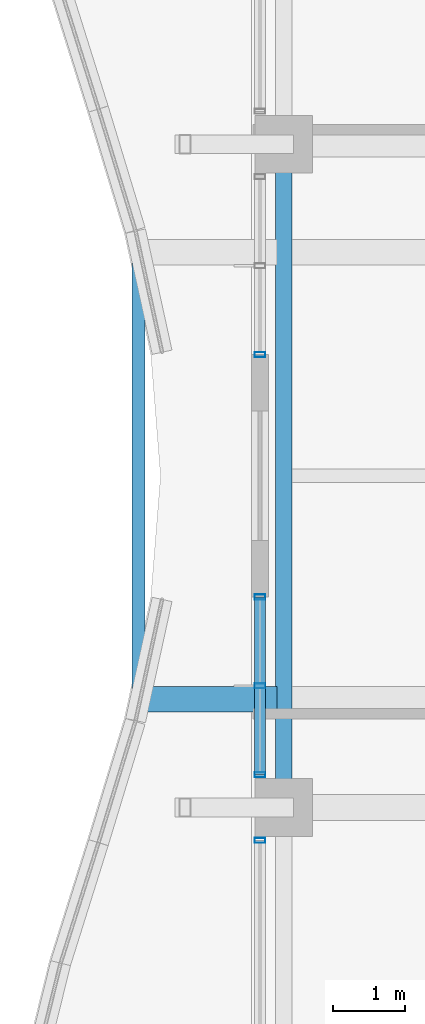
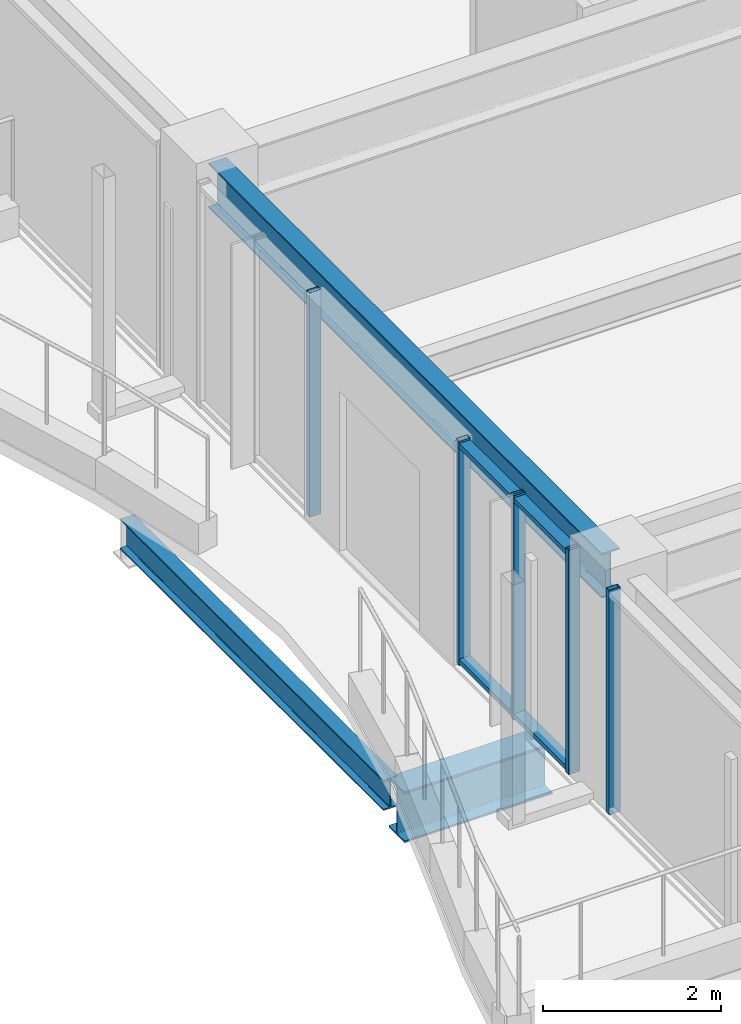
# One storey, part 6 of 35: 7 members, 3 beams, 3 elements without a shape of their own.
"""IFC4 building model written with IfcOpenShell, lengths in metres."""

from ifc_helpers import new_model, si_unit, direction, frame, origin, origin_2d, place, context, subcontext, project, spatial, hollow_rectangle, i_section, extrude, material, material_profile, profile_set, type_object, element, aggregate, save


model = new_model("IFC4")

# Units and contexts
model_context = context("Model", 3, precision=1e-05, world=origin(), true_north=direction((0.0, 1.0)))
body_context = subcontext(model_context, "Body", "Model", "MODEL_VIEW")
ifc_project = project(units=[si_unit("LENGTHUNIT", "METRE"), si_unit("AREAUNIT", "SQUARE_METRE"), si_unit("VOLUMEUNIT", "CUBIC_METRE"), si_unit("PLANEANGLEUNIT", "RADIAN"), si_unit("MASSUNIT", "GRAM", prefix="KILO")], contexts=[model_context])

# Site, building, storey
site_placement = place(None, origin())
site = spatial("IfcSite", under=ifc_project, at=site_placement, CompositionType="ELEMENT")
building_placement = place(site_placement, origin())
building = spatial("IfcBuilding", under=site, at=building_placement, Name="Kolvaren Belvedere", CompositionType="ELEMENT")
storey_placement = place(building_placement, frame((0.0, 0.0, 216.300048828125)))
storey = spatial("IfcBuildingStorey", under=building, at=storey_placement, Name="L63", CompositionType="ELEMENT", Elevation=216.300048828125)

# Beams
ifc_material_1 = material(Name="Structural steel ASTM A992 Grade 50", Category="steel")
ifc_material_profile_1 = material_profile(ifc_material_1, i_section(OverallWidth=0.35498046875, OverallDepth=0.696044921875, WebThickness=0.015380859375, FlangeThickness=0.02490234375, FilletRadius=0.02197265625, at=origin_2d()), Name="W27X146")
ifc_profile_set_1 = profile_set([ifc_material_profile_1], Name="Structural steel ASTM A992 Grade 50")
beam_type_1 = type_object("IfcBeamType", Name="BM-CANT-BAL", PredefinedType="BEAM", material=ifc_profile_set_1)
beam_1_placement = place(storey_placement, frame((-20.044921875, -3.10009765625, -0.568115234375), z_axis=(-1.0, 0.0, 0.0), x_axis=(0.0, -1.0, 0.0)))
element("IfcBeam", 1, at=beam_1_placement, inside=storey, type_object=beam_type_1, Name="L63 Planted Balcony Cantilever BAL-W-1", PredefinedType="BEAM", context=body_context, shape_type="SweptSolid", body=[
    extrude(i_section(OverallWidth=0.35498046875, OverallDepth=0.696044921875, WebThickness=0.015380859375, FlangeThickness=0.02490234375, FilletRadius=0.02197265625, at=origin_2d()), origin(), (0.0, 0.0, 1.0), 1.91943359375),
])
ifc_material_2 = material(Name="Structural steel ASTM A992 Grade 50", Category="steel")
ifc_material_profile_2 = material_profile(ifc_material_2, i_section(OverallWidth=0.180908203125, OverallDepth=0.4169921875, WebThickness=0.010986328125, FlangeThickness=0.018310546875, FilletRadius=0.013916015625, at=origin_2d()), Name="W16X57")
ifc_profile_set_2 = profile_set([ifc_material_profile_2], Name="Structural steel ASTM A992 Grade 50")
beam_type_2 = type_object("IfcBeamType", Name="BM-EDGE-W16X57", PredefinedType="BEAM", material=ifc_profile_set_2)
beam_2_placement = place(storey_placement, frame((-21.96435546875, -2.9599609375, -0.428466796875), z_axis=(0.0, 1.0, 0.0), x_axis=(-1.0, 0.0, 0.0)))
element("IfcBeam", 2, at=beam_2_placement, inside=storey, type_object=beam_type_2, Name="L63 Balcony Tip Header Beam BAL-W", PredefinedType="BEAM", context=body_context, shape_type="SweptSolid", body=[
    extrude(i_section(OverallWidth=0.180908203125, OverallDepth=0.4169921875, WebThickness=0.010986328125, FlangeThickness=0.018310546875, FilletRadius=0.013916015625, at=origin_2d()), origin(), (0.0, 0.0, 1.0), 5.919921875),
])
ifc_material_3 = material(Name="Structural steel ASTM A992 Grade 50", Category="steel")
ifc_material_profile_3 = material_profile(ifc_material_3, i_section(OverallWidth=0.22900390625, OverallDepth=0.612060546875, WebThickness=0.011962890625, FlangeThickness=0.01953125, FilletRadius=0.01806640625, at=origin_2d()), Name="W24X84")
ifc_profile_set_3 = profile_set([ifc_material_profile_3], Name="Structural steel ASTM A992 Grade 50")
beam_type_3 = type_object("IfcBeamType", Name="BM-SPAN-W24X84", PredefinedType="SPANDREL", material=ifc_profile_set_3)
beam_3_placement = place(storey_placement, frame((-19.949951171875, 4.419921875, 2.77392578125), z_axis=(0.0, -1.0, 0.0), x_axis=(1.0, 0.0, 0.0)))
element("IfcBeam", 3, at=beam_3_placement, inside=storey, type_object=beam_type_3, Name="L63 Perimeter Spandrel W3-W2", PredefinedType="SPANDREL", context=body_context, shape_type="SweptSolid", body=[
    extrude(i_section(OverallWidth=0.22900390625, OverallDepth=0.612060546875, WebThickness=0.011962890625, FlangeThickness=0.01953125, FilletRadius=0.01806640625, at=origin_2d()), origin(), (0.0, 0.0, 1.0), 8.83984375),
])

# Curtain wall, member
ifc_material_4 = material(Name="Anodised pale-metal aluminium AA 6063-T6", Category="aluminium")
curtain_wall_type = type_object("IfcCurtainWallType", Name="CW-Z5-HIGH", PredefinedType="NOTDEFINED", material=ifc_material_4)
curtain_wall_1_placement = place(storey_placement, origin())
curtain_wall_1 = element("IfcCurtainWall", 4, at=curtain_wall_1_placement, inside=storey, type_object=curtain_wall_type, Name="L63 Unitised Curtain Wall FCW-L63-W1-B1", PredefinedType="NOTDEFINED")
ifc_material_5 = material(Name="Anodised pale-metal aluminium AA 6063-T6", Category="aluminium")
ifc_material_profile_4 = material_profile(ifc_material_5, hollow_rectangle(XDim=0.070068359375, YDim=0.14990234375, WallThickness=0.004150390625, at=origin_2d()), Name="ALU-MUL-150X70")
ifc_profile_set_4 = profile_set([ifc_material_profile_4], Name="Anodised pale-metal aluminium AA 6063-T6")
member_type_1 = type_object("IfcMemberType", Name="CW-MUL-150", PredefinedType="MULLION", material=ifc_profile_set_4)
member_1_placement = place(storey_placement, frame((-20.280029296875, -5.054931640625, 0.0), z_axis=(0.0, 0.0, 1.0), x_axis=(0.0, 1.0, 0.0)))
member_1 = element("IfcMember", 5, at=member_1_placement, type_object=member_type_1, Name="FCW-L63-W1-B1 Unitised Mullion 3", PredefinedType="MULLION", context=body_context, shape_type="SweptSolid", body=[
    extrude(hollow_rectangle(XDim=0.070068359375, YDim=0.14990234375, WallThickness=0.004150390625, at=origin_2d()), origin(), (0.0, 0.0, 1.0), 3.079833984375),
])
aggregate(curtain_wall_1, [member_1])

# Curtain wall, members
curtain_wall_2_placement = place(storey_placement, origin())
curtain_wall_2 = element("IfcCurtainWall", 6, at=curtain_wall_2_placement, inside=storey, type_object=curtain_wall_type, Name="L63 Unitised Curtain Wall FCW-L63-W1-B2", PredefinedType="NOTDEFINED")
member_2_placement = place(storey_placement, frame((-20.280029296875, -4.14501953125, 0.0), z_axis=(0.0, 0.0, 1.0), x_axis=(0.0, 1.0, 0.0)))
member_2 = element("IfcMember", 7, at=member_2_placement, type_object=member_type_1, Name="FCW-L63-W1-B2 Unitised Mullion 1", PredefinedType="MULLION", context=body_context, shape_type="SweptSolid", body=[
    extrude(hollow_rectangle(XDim=0.070068359375, YDim=0.14990234375, WallThickness=0.004150390625, at=origin_2d()), origin(), (0.0, 0.0, 1.0), 3.079833984375),
])
member_3_placement = place(storey_placement, frame((-20.280029296875, -2.91259765625, 0.0), z_axis=(0.0, 0.0, 1.0), x_axis=(0.0, 1.0, 0.0)))
member_3 = element("IfcMember", 8, at=member_3_placement, type_object=member_type_1, Name="FCW-L63-W1-B2 Unitised Mullion 2", PredefinedType="MULLION", context=body_context, shape_type="SweptSolid", body=[
    extrude(hollow_rectangle(XDim=0.070068359375, YDim=0.14990234375, WallThickness=0.004150390625, at=origin_2d()), origin(), (0.0, 0.0, 1.0), 3.079833984375),
])
member_4_placement = place(storey_placement, frame((-20.280029296875, -1.679931640625, 0.0), z_axis=(0.0, 0.0, 1.0), x_axis=(0.0, 1.0, 0.0)))
member_4 = element("IfcMember", 9, at=member_4_placement, type_object=member_type_1, Name="FCW-L63-W1-B2 Unitised Mullion 3", PredefinedType="MULLION", context=body_context, shape_type="SweptSolid", body=[
    extrude(hollow_rectangle(XDim=0.070068359375, YDim=0.14990234375, WallThickness=0.004150390625, at=origin_2d()), origin(), (0.0, 0.0, 1.0), 3.079833984375),
])

# Curtain wall, member
curtain_wall_3_placement = place(storey_placement, origin())
curtain_wall_3 = element("IfcCurtainWall", 10, at=curtain_wall_3_placement, inside=storey, type_object=curtain_wall_type, Name="L63 Unitised Curtain Wall FCW-L63-W2-B1", PredefinedType="NOTDEFINED")
member_5_placement = place(storey_placement, frame((-20.280029296875, 1.679931640625, 0.0), z_axis=(0.0, 0.0, 1.0), x_axis=(0.0, 1.0, 0.0)))
member_5 = element("IfcMember", 11, at=member_5_placement, type_object=member_type_1, Name="FCW-L63-W2-B1 Unitised Mullion 1", PredefinedType="MULLION", context=body_context, shape_type="SweptSolid", body=[
    extrude(hollow_rectangle(XDim=0.070068359375, YDim=0.14990234375, WallThickness=0.004150390625, at=origin_2d()), origin(), (0.0, 0.0, 1.0), 3.079833984375),
])
aggregate(curtain_wall_3, [member_5])

# Member
ifc_material_6 = material(Name="Anodised pale-metal aluminium AA 6063-T6", Category="aluminium")
ifc_material_profile_5 = material_profile(ifc_material_6, hollow_rectangle(XDim=0.06494140625, YDim=0.14990234375, WallThickness=0.00390625, at=origin_2d()), Name="ALU-TRN-150X65")
ifc_profile_set_5 = profile_set([ifc_material_profile_5], Name="Anodised pale-metal aluminium AA 6063-T6")
member_type_2 = type_object("IfcMemberType", Name="CW-TRN-150", PredefinedType="USERDEFINED", material=ifc_profile_set_5)
member_6_placement = place(storey_placement, frame((-20.280029296875, -4.14501953125, 0.06005859375), z_axis=(0.0, 1.0, 0.0), x_axis=(0.0, 0.0, 1.0)))
member_6 = element("IfcMember", 12, at=member_6_placement, type_object=member_type_2, Name="FCW-L63-W1-B2 Sill Transom", ObjectType="TRANSOM", PredefinedType="USERDEFINED", context=body_context, shape_type="SweptSolid", body=[
    extrude(hollow_rectangle(XDim=0.06494140625, YDim=0.14990234375, WallThickness=0.00390625, at=origin_2d()), origin(), (0.0, 0.0, 1.0), 2.465087890625),
])

member_7_placement = place(storey_placement, frame((-20.280029296875, -4.14501953125, 3.02001953125), z_axis=(0.0, 1.0, 0.0), x_axis=(0.0, 0.0, 1.0)))
member_7 = element("IfcMember", 13, at=member_7_placement, type_object=member_type_2, Name="FCW-L63-W1-B2 Head Transom", ObjectType="TRANSOM", PredefinedType="USERDEFINED", context=body_context, shape_type="SweptSolid", body=[
    extrude(hollow_rectangle(XDim=0.06494140625, YDim=0.14990234375, WallThickness=0.00390625, at=origin_2d()), origin(), (0.0, 0.0, 1.0), 2.465087890625),
])

aggregate(curtain_wall_2, [member_2, member_3, member_4, member_6, member_7])

save(model, "model.ifc")
